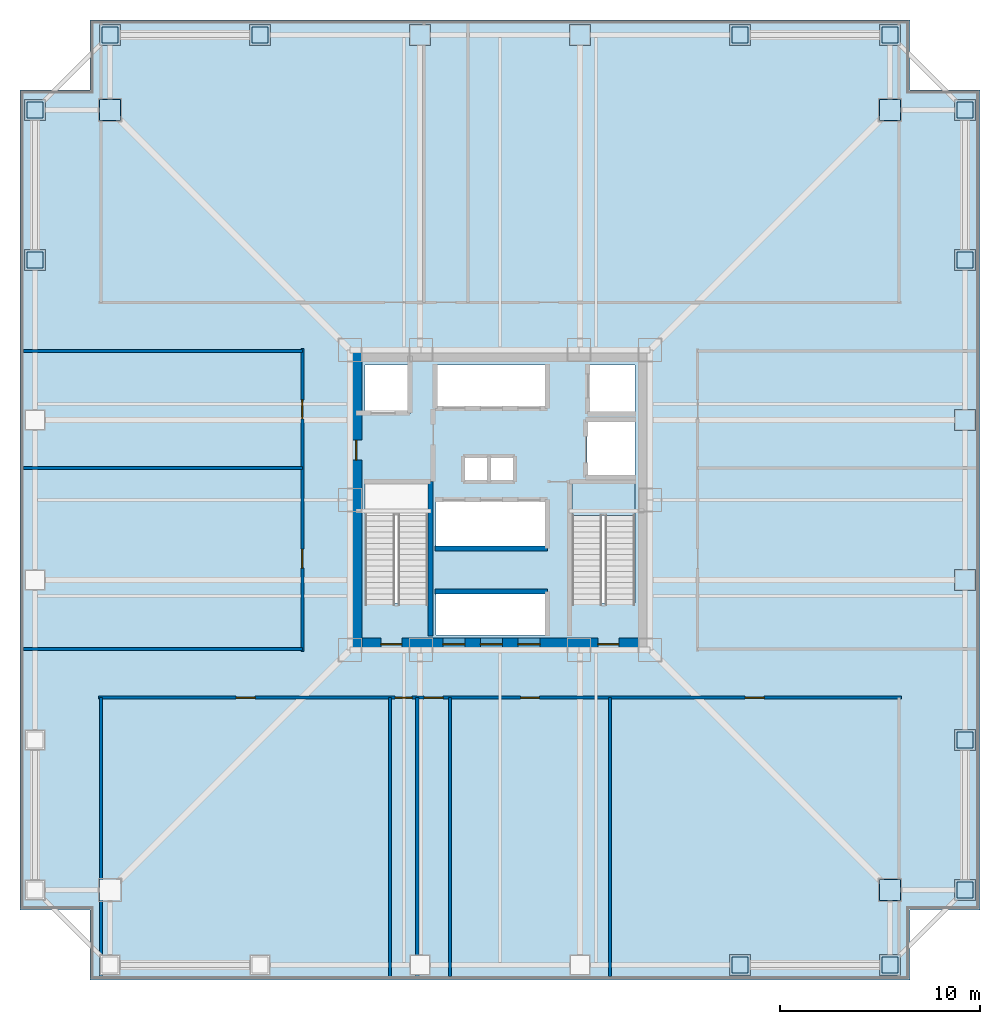
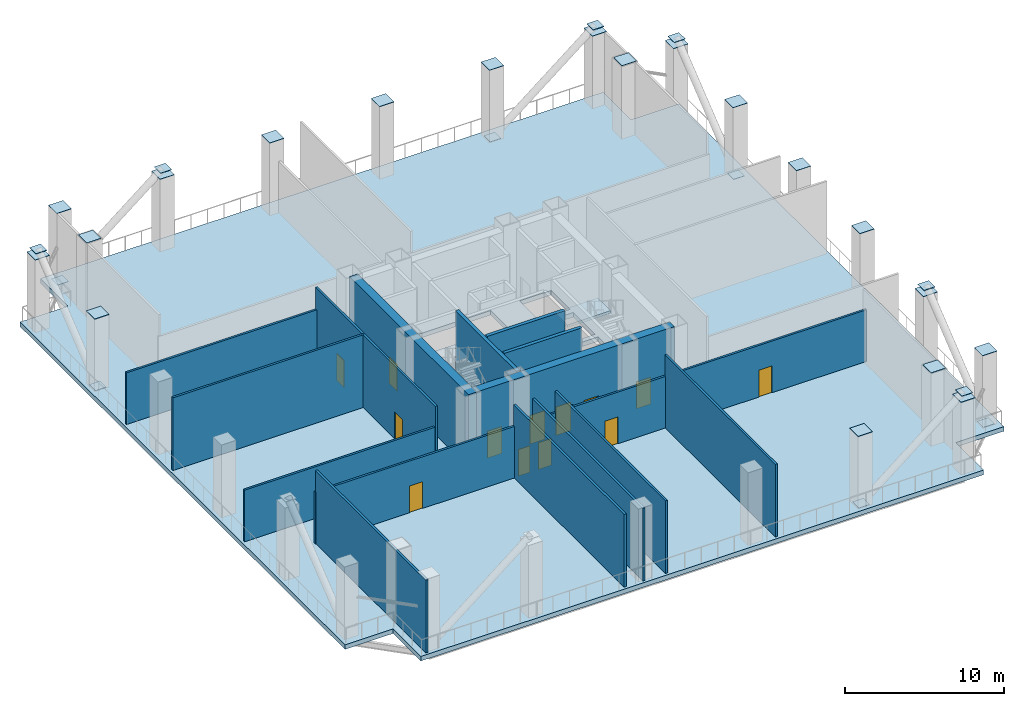
# One storey, part 2 of 7: 31 plates, 15 walls, 13 doors, 2 slabs, 13 openings, 1 element without a shape of its own.
"""IFC4 building model written with IfcOpenShell, lengths in metres."""

from ifc_helpers import new_model, si_unit, direction, frame, frame_2d, origin, origin_2d, place, context, subcontext, project, spatial, polyline, rectangle, outline, extrude, material, layer, layer_set, type_object, element, fill, aggregate, save


model = new_model("IFC4")

# Units and contexts
model_context = context("Model", 3, precision=1e-05, world=origin(), true_north=direction((0.0, 1.0)))
body_context = subcontext(model_context, "Body", "Model", "MODEL_VIEW")
ifc_project = project(units=[si_unit("LENGTHUNIT", "METRE"), si_unit("AREAUNIT", "SQUARE_METRE"), si_unit("VOLUMEUNIT", "CUBIC_METRE"), si_unit("PLANEANGLEUNIT", "RADIAN"), si_unit("MASSUNIT", "GRAM", prefix="KILO")], contexts=[model_context])

# Site, building, storey
site_placement = place(None, origin())
site = spatial("IfcSite", under=ifc_project, at=site_placement, CompositionType="ELEMENT")
building_placement = place(site_placement, origin())
building = spatial("IfcBuilding", under=site, at=building_placement, Name="Trevonay Congress Spire", CompositionType="ELEMENT")
storey_placement = place(building_placement, frame((0.0, 0.0, 88.0)))
storey = spatial("IfcBuildingStorey", under=building, at=storey_placement, Name="L22", CompositionType="ELEMENT", Elevation=88.0)

# Plates
ifc_material_1 = material(Name="Steel ASTM A572 Grade 50", Category="steel")
ifc_layer_1 = layer(ifc_material_1, 0.034912109375, Name="Steel ASTM A572 Grade 50")
ifc_layer_set_1 = layer_set([ifc_layer_1], Name="Steel ASTM A572 Grade 50")
plate_type_1 = type_object("IfcPlateType", Name="PLT-ENDCAP-EXT-105", PredefinedType="USERDEFINED", material=ifc_layer_set_1)
for number, where, z_axis, x_axis, name in (
    (1, (-19.5, 23.25, 5.58251953125), (0.0, 0.0, 1.0), (1.0, 0.0, 0.0), "L22 hollow column end-cap plate at TN-1"),
    (2, (23.25, -19.5, 5.58251953125), (0.0, 0.0, 1.0), (1.0, 0.0, 0.0), "L22 hollow column end-cap plate at TE-1"),
    (3, (-12.0, 23.25, 5.58251953125), (0.0, 0.0, 1.0), (1.0, 0.0, 0.0), "L22 hollow column end-cap plate at TN-2"),
    (4, (23.25, -12.0, 5.58251953125), (0.0, 0.0, 1.0), (1.0, 0.0, 0.0), "L22 hollow column end-cap plate at TE-2"),
    (5, (-4.0, 23.25, 5.58251953125), (0.0, 0.0, 1.0), (1.0, 0.0, 0.0), "L22 hollow column end-cap plate at TN-3"),
    (6, (23.25, -4.0, 5.58251953125), (0.0, 0.0, 1.0), (1.0, 0.0, 0.0), "L22 hollow column end-cap plate at TE-3"),
    (7, (4.0, 23.25, 5.58251953125), (0.0, 0.0, 1.0), (1.0, 0.0, 0.0), "L22 hollow column end-cap plate at TN-4"),
    (8, (23.25, 4.0, 5.58251953125), (0.0, 0.0, 1.0), (1.0, 0.0, 0.0), "L22 hollow column end-cap plate at TE-4"),
    (9, (12.0, -23.25, 5.58251953125), (0.0, 0.0, 1.0), (1.0, 0.0, 0.0), "L22 hollow column end-cap plate at TS-5"),
    (10, (12.0, 23.25, 5.58251953125), (0.0, 0.0, 1.0), (1.0, 0.0, 0.0), "L22 hollow column end-cap plate at TN-5"),
    (11, (-23.25, 12.0, 5.58251953125), (0.0, 0.0, 1.0), (1.0, 0.0, 0.0), "L22 hollow column end-cap plate at TW-5"),
    (12, (23.25, 12.0, 5.58251953125), (0.0, 0.0, 1.0), (1.0, 0.0, 0.0), "L22 hollow column end-cap plate at TE-5"),
    (13, (19.5, -23.25, 5.58251953125), (0.0, 0.0, 1.0), (1.0, 0.0, 0.0), "L22 hollow column end-cap plate at TS-6"),
    (14, (19.5, 23.25, 5.58251953125), (0.0, 0.0, 1.0), (1.0, 0.0, 0.0), "L22 hollow column end-cap plate at TN-6"),
    (15, (-23.25, 19.5, 5.58251953125), (0.0, 0.0, 1.0), (1.0, 0.0, 0.0), "L22 hollow column end-cap plate at TW-6"),
    (16, (23.25, 19.5, 5.58251953125), (0.0, 0.0, 1.0), (1.0, 0.0, 0.0), "L22 hollow column end-cap plate at TE-6"),
    (17, (19.5, -19.5, 5.58251953125), (0.0, 0.0, 1.0), (1.0, 0.0, 0.0), "L22 hollow column end-cap plate at NC-SE"),
    (18, (19.5, 19.5, 5.58251953125), (0.0, 0.0, 1.0), (1.0, 0.0, 0.0), "L22 hollow column end-cap plate at NC-NE"),
    (19, (-19.5, 19.5, 5.58251953125), (0.0, 0.0, 1.0), (1.0, 0.0, 0.0), "L22 hollow column end-cap plate at NC-NW"),
):
    element("IfcPlate", number, at=place(storey_placement, frame(where, z_axis=z_axis, x_axis=x_axis)), inside=storey, type_object=plate_type_1, Name=name, ObjectType="CAP_PLATE", PredefinedType="USERDEFINED", context=body_context, shape_type="SweptSolid", body=[
        extrude(rectangle(XDim=1.050048828125, YDim=1.050048828125, at=origin_2d()), origin(), (0.0, 0.0, 1.0), 0.034912109375),
    ])
ifc_layer_2 = layer(ifc_material_1, 0.030029296875, Name="Steel ASTM A572 Grade 50")
ifc_layer_set_2 = layer_set([ifc_layer_2], Name="Steel ASTM A572 Grade 50")
plate_type_2 = type_object("IfcPlateType", Name="PLT-ENDCAP-EXT-80", PredefinedType="USERDEFINED", material=ifc_layer_set_2)
for number, where, z_axis, x_axis, name in (
    (20, (12.0, -23.25, -0.05517578125), (0.0, 0.0, 1.0), (1.0, 0.0, 0.0), "L22 wind portal strut sealed end-cap plate S4-A"),
    (21, (19.5, -23.25, 5.94482421875), (0.0, 0.0, 1.0), (1.0, 0.0, 0.0), "L22 wind portal strut sealed end-cap plate S4-B"),
    (22, (-19.5, 23.25, -0.05517578125), (0.0, 0.0, 1.0), (1.0, 0.0, 0.0), "L22 wind portal strut sealed end-cap plate N0-A"),
    (23, (-12.0, 23.25, 5.94482421875), (0.0, 0.0, 1.0), (1.0, 0.0, 0.0), "L22 wind portal strut sealed end-cap plate N0-B"),
    (24, (12.0, 23.25, -0.05517578125), (0.0, 0.0, 1.0), (1.0, 0.0, 0.0), "L22 wind portal strut sealed end-cap plate N4-A"),
    (25, (19.5, 23.25, 5.94482421875), (0.0, 0.0, 1.0), (1.0, 0.0, 0.0), "L22 wind portal strut sealed end-cap plate N4-B"),
    (26, (-23.25, 12.0, -0.05517578125), (0.0, 0.0, 1.0), (1.0, 0.0, 0.0), "L22 wind portal strut sealed end-cap plate W4-A"),
    (27, (-23.25, 19.5, 5.94482421875), (0.0, 0.0, 1.0), (1.0, 0.0, 0.0), "L22 wind portal strut sealed end-cap plate W4-B"),
    (28, (23.25, -19.5, -0.05517578125), (0.0, 0.0, 1.0), (1.0, 0.0, 0.0), "L22 wind portal strut sealed end-cap plate E0-A"),
    (29, (23.25, -12.0, 5.94482421875), (0.0, 0.0, 1.0), (1.0, 0.0, 0.0), "L22 wind portal strut sealed end-cap plate E0-B"),
    (30, (23.25, 12.0, -0.05517578125), (0.0, 0.0, 1.0), (1.0, 0.0, 0.0), "L22 wind portal strut sealed end-cap plate E4-A"),
    (31, (23.25, 19.5, 5.94482421875), (0.0, 0.0, 1.0), (1.0, 0.0, 0.0), "L22 wind portal strut sealed end-cap plate E4-B"),
):
    element("IfcPlate", number, at=place(storey_placement, frame(where, z_axis=z_axis, x_axis=x_axis)), inside=storey, type_object=plate_type_2, Name=name, ObjectType="CAP_PLATE", PredefinedType="USERDEFINED", context=body_context, shape_type="SweptSolid", body=[
        extrude(rectangle(XDim=0.800048828125, YDim=0.800048828125, at=origin_2d()), origin(), (0.0, 0.0, 1.0), 0.030029296875),
    ])

# Stair, slab
ifc_material_2 = material(Name="Concrete C40/50", Category="concrete")
stair_type = type_object("IfcStairType", Name="STR-ST-2", PredefinedType="HALF_TURN_STAIR", material=ifc_material_2)
stair_placement = place(storey_placement, origin())
stair = element("IfcStair", 32, at=stair_placement, inside=storey, type_object=stair_type, Name="L22 Protected Exit Stair ST-2", PredefinedType="HALF_TURN_STAIR")
ifc_layer_3 = layer(ifc_material_2, 0.199951171875, Name="Concrete C40/50")
ifc_layer_set_3 = layer_set([ifc_layer_3], Name="Concrete C40/50")
slab_type_1 = type_object("IfcSlabType", Name="SLB-STAIR-LAND-200", PredefinedType="LANDING", material=ifc_layer_set_3)
slab_1_placement = place(storey_placement, frame((0.0, 0.0, 2.800048828125)))
slab_1 = element("IfcSlab", 33, at=slab_1_placement, type_object=slab_type_1, Name="ST-2 landing 1", PredefinedType="LANDING", context=body_context, shape_type="SweptSolid", body=[
    extrude(outline(polyline([(6.75, -0.77001953125), (6.75, 0.85009765625), (3.60009765625, 0.85009765625), (3.60009765625, -0.77001953125), (6.75, -0.77001953125)])), origin(), (0.0, 0.0, 1.0), 0.199951171875),
])
aggregate(stair, [slab_1])

# Slab
ifc_layer_4 = layer(ifc_material_2, 0.35009765625, Name="Concrete C40/50")
ifc_layer_set_4 = layer_set([ifc_layer_4], Name="Concrete C40/50")
slab_type_2 = type_object("IfcSlabType", Name="SLB-WIND-350", PredefinedType="FLOOR", material=ifc_layer_set_4)
slab_2_placement = place(storey_placement, frame((0.0, 0.0, -0.35009765625)))
element("IfcSlab", 34, at=slab_2_placement, inside=storey, type_object=slab_type_2, Name="L22 structural floor slab", PredefinedType="FLOOR", context=body_context, shape_type="SweptSolid", body=[
    extrude(outline(polyline([(-20.5, -24.0), (20.5, -24.0), (20.5, -20.5), (24.0, -20.5), (24.0, 20.5), (20.5, 20.5), (20.5, 24.0), (-20.5, 24.0), (-20.5, 20.5), (-24.0, 20.5), (-24.0, -20.5), (-20.5, -20.5), (-20.5, -24.0)]), holes=[polyline([(-3.60009765625, -5.14990234375), (-3.60009765625, 0.85009765625), (-6.75, 0.85009765625), (-6.75, -5.14990234375), (-3.60009765625, -5.14990234375)]), polyline([(6.75, -5.14990234375), (6.75, 0.85009765625), (3.60009765625, 0.85009765625), (3.60009765625, -5.14990234375), (6.75, -5.14990234375)]), polyline([(-3.199951171875, -6.75), (2.340087890625, -6.75), (2.340087890625, -4.64990234375), (-3.199951171875, -4.64990234375), (-3.199951171875, -6.75)]), polyline([(-3.199951171875, -2.35009765625), (2.340087890625, -2.35009765625), (2.340087890625, -0.050048828125), (-3.199951171875, -0.050048828125), (-3.199951171875, -2.35009765625)]), polyline([(-3.199951171875, 4.64990234375), (2.340087890625, 4.64990234375), (2.340087890625, 6.75), (-3.199951171875, 6.75), (-3.199951171875, 4.64990234375)]), polyline([(-6.75, 4.35009765625), (-4.449951171875, 4.35009765625), (-4.449951171875, 6.75), (-6.75, 6.75), (-6.75, 4.35009765625)]), polyline([(4.449951171875, 4.35009765625), (6.75, 4.35009765625), (6.75, 6.75), (4.449951171875, 6.75), (4.449951171875, 4.35009765625)]), polyline([(4.35009765625, 1.199951171875), (6.75, 1.199951171875), (6.75, 3.949951171875), (4.35009765625, 3.949951171875), (4.35009765625, 1.199951171875)]), polyline([(-1.800048828125, 0.949951171875), (0.699951171875, 0.949951171875), (0.699951171875, 2.14990234375), (-1.800048828125, 2.14990234375), (-1.800048828125, 0.949951171875)])]), origin(), (0.0, 0.0, 1.0), 0.35009765625),
])

# Wall, openings, doors
ifc_material_3 = material(Name="Concrete C60/75", Category="concrete")
ifc_layer_5 = layer(ifc_material_3, 0.60009765625, Name="Concrete C60/75")
ifc_layer_set_5 = layer_set([ifc_layer_5], Name="Concrete C60/75")
wall_type_1 = type_object("IfcWallType", Name="WAL-CORE-600", PredefinedType="SHEAR", material=ifc_layer_set_5)
wall_1_placement = place(storey_placement, frame((-7.5, -7.199951171875, 0.0), z_axis=(0.0, 0.0, 1.0), x_axis=(1.0, 0.0, 0.0)))
wall_1 = element("IfcWall", 35, at=wall_1_placement, inside=storey, type_object=wall_type_1, Name="L22 South structural core shear wall", PredefinedType="SHEAR", context=body_context, shape_type="SweptSolid", body=[
    extrude(rectangle(XDim=15.0, YDim=0.60009765625, at=frame_2d((7.5, 0.0))), origin(), (0.0, 0.0, 1.0), 5.60009765625),
])
opening_1_placement = place(wall_1_placement, frame((1.550048828125, 0.0, 0.0)))
opening_1 = element("IfcOpeningElement", 36, at=opening_1_placement, cuts=wall_1, Name="Opening D05", PredefinedType="OPENING", context=body_context, shape_type="SweptSolid", body=[
    extrude(rectangle(XDim=1.050048828125, YDim=2.080078125, at=frame_2d((0.52490234375, 1.0400390625))), frame((0.0, 0.31005859375, 0.0), z_axis=(0.0, -1.0, 0.0), x_axis=(1.0, 0.0, 0.0)), (0.0, 0.0, 1.0), 0.6201171875),
])
opening_2_placement = place(wall_1_placement, frame((12.39990234375, 0.0, 0.0)))
opening_2 = element("IfcOpeningElement", 37, at=opening_2_placement, cuts=wall_1, Name="Opening D05", PredefinedType="OPENING", context=body_context, shape_type="SweptSolid", body=[
    extrude(rectangle(XDim=1.050048828125, YDim=2.080078125, at=frame_2d((0.52490234375, 1.0400390625))), frame((0.0, 0.31005859375, 0.0), z_axis=(0.0, -1.0, 0.0), x_axis=(1.0, 0.0, 0.0)), (0.0, 0.0, 1.0), 0.6201171875),
])
opening_3_placement = place(wall_1_placement, frame((4.639892578125, 0.0, 0.0)))
opening_3 = element("IfcOpeningElement", 38, at=opening_3_placement, cuts=wall_1, Name="Opening LD01", PredefinedType="OPENING", context=body_context, shape_type="SweptSolid", body=[
    extrude(rectangle(XDim=1.10009765625, YDim=2.199951171875, at=frame_2d((0.550048828125, 1.10009765625))), frame((0.0, 0.31005859375, 0.0), z_axis=(0.0, -1.0, 0.0), x_axis=(1.0, 0.0, 0.0)), (0.0, 0.0, 1.0), 0.6201171875),
])
opening_4_placement = place(wall_1_placement, frame((6.52001953125, 0.0, 0.0)))
opening_4 = element("IfcOpeningElement", 39, at=opening_4_placement, cuts=wall_1, Name="Opening LD01", PredefinedType="OPENING", context=body_context, shape_type="SweptSolid", body=[
    extrude(rectangle(XDim=1.10009765625, YDim=2.199951171875, at=frame_2d((0.550048828125, 1.10009765625))), frame((0.0, 0.31005859375, 0.0), z_axis=(0.0, -1.0, 0.0), x_axis=(1.0, 0.0, 0.0)), (0.0, 0.0, 1.0), 0.6201171875),
])
opening_5_placement = place(wall_1_placement, frame((8.39990234375, 0.0, 0.0)))
opening_5 = element("IfcOpeningElement", 40, at=opening_5_placement, cuts=wall_1, Name="Opening LD01", PredefinedType="OPENING", context=body_context, shape_type="SweptSolid", body=[
    extrude(rectangle(XDim=1.10009765625, YDim=2.199951171875, at=frame_2d((0.550048828125, 1.10009765625))), frame((0.0, 0.31005859375, 0.0), z_axis=(0.0, -1.0, 0.0), x_axis=(1.0, 0.0, 0.0)), (0.0, 0.0, 1.0), 0.6201171875),
])
ifc_material_4 = material(Name="Pale Anodised Aluminium EN AW-6063-T6", Category="aluminium")
door_type_1 = type_object("IfcDoorType", Name="DOR-LIFT-LD01", OperationType="DOUBLE_DOOR_SLIDING", PredefinedType="DOOR", material=ifc_material_4)
door_1_placement = place(opening_3_placement, origin())
door_1 = element("IfcDoor", 41, at=door_1_placement, inside=storey, type_object=door_type_1, Name="L22 Passenger lift PL-01 landing door", OperationType="DOUBLE_DOOR_SLIDING", OverallHeight=2.199951171875, OverallWidth=1.10009765625, PredefinedType="DOOR", context=body_context, shape_type="SweptSolid", body=[
    extrude(rectangle(XDim=1.10009765625, YDim=2.199951171875, at=frame_2d((0.550048828125, 1.10009765625))), frame((0.0, 0.02490234375, 0.0), z_axis=(0.0, -1.0, 0.0), x_axis=(1.0, 0.0, 0.0)), (0.0, 0.0, 1.0), 0.050048828125),
])
fill(opening_3, door_1)
door_2_placement = place(opening_4_placement, origin())
door_2 = element("IfcDoor", 42, at=door_2_placement, inside=storey, type_object=door_type_1, Name="L22 Passenger lift PL-02 landing door", OperationType="DOUBLE_DOOR_SLIDING", OverallHeight=2.199951171875, OverallWidth=1.10009765625, PredefinedType="DOOR", context=body_context, shape_type="SweptSolid", body=[
    extrude(rectangle(XDim=1.10009765625, YDim=2.199951171875, at=frame_2d((0.550048828125, 1.10009765625))), frame((0.0, 0.02490234375, 0.0), z_axis=(0.0, -1.0, 0.0), x_axis=(1.0, 0.0, 0.0)), (0.0, 0.0, 1.0), 0.050048828125),
])
fill(opening_4, door_2)
door_3_placement = place(opening_5_placement, origin())
door_3 = element("IfcDoor", 43, at=door_3_placement, inside=storey, type_object=door_type_1, Name="L22 Passenger lift PL-03 landing door", OperationType="DOUBLE_DOOR_SLIDING", OverallHeight=2.199951171875, OverallWidth=1.10009765625, PredefinedType="DOOR", context=body_context, shape_type="SweptSolid", body=[
    extrude(rectangle(XDim=1.10009765625, YDim=2.199951171875, at=frame_2d((0.550048828125, 1.10009765625))), frame((0.0, 0.02490234375, 0.0), z_axis=(0.0, -1.0, 0.0), x_axis=(1.0, 0.0, 0.0)), (0.0, 0.0, 1.0), 0.050048828125),
])
fill(opening_5, door_3)
door_type_2 = type_object("IfcDoorType", Name="DOR-STAIR-110", OperationType="NOTDEFINED", PredefinedType="DOOR", material=ifc_material_1)
door_4_placement = place(opening_1_placement, origin())
door_4 = element("IfcDoor", 44, at=door_4_placement, inside=storey, type_object=door_type_2, Name="L22 Protected Stair ST-1 Door", OperationType="SINGLE_SWING_RIGHT", OverallHeight=2.080078125, OverallWidth=1.050048828125, PredefinedType="DOOR", context=body_context, shape_type="SweptSolid", body=[
    extrude(rectangle(XDim=1.050048828125, YDim=2.080078125, at=frame_2d((0.52490234375, 1.0400390625))), frame((0.0, 0.02490234375, 0.0), z_axis=(0.0, -1.0, 0.0), x_axis=(1.0, 0.0, 0.0)), (0.0, 0.0, 1.0), 0.050048828125),
])
fill(opening_1, door_4)
door_5_placement = place(opening_2_placement, origin())
door_5 = element("IfcDoor", 45, at=door_5_placement, inside=storey, type_object=door_type_2, Name="L22 Protected Stair ST-2 Door", OperationType="SINGLE_SWING_LEFT", OverallHeight=2.080078125, OverallWidth=1.050048828125, PredefinedType="DOOR", context=body_context, shape_type="SweptSolid", body=[
    extrude(rectangle(XDim=1.050048828125, YDim=2.080078125, at=frame_2d((0.52490234375, 1.0400390625))), frame((0.0, 0.02490234375, 0.0), z_axis=(0.0, -1.0, 0.0), x_axis=(1.0, 0.0, 0.0)), (0.0, 0.0, 1.0), 0.050048828125),
])
fill(opening_2, door_5)

# Wall, opening, door
wall_2_placement = place(storey_placement, frame((-7.199951171875, -7.5, 0.0), z_axis=(0.0, 0.0, 1.0), x_axis=(0.0, 1.0, 0.0)))
wall_2 = element("IfcWall", 46, at=wall_2_placement, inside=storey, type_object=wall_type_1, Name="L22 West structural core shear wall", PredefinedType="SHEAR", context=body_context, shape_type="SweptSolid", body=[
    extrude(rectangle(XDim=15.0, YDim=0.60009765625, at=frame_2d((7.5, 0.0))), origin(), (0.0, 0.0, 1.0), 5.60009765625),
])
opening_6_placement = place(wall_2_placement, frame((9.5, 0.0, 0.0)))
opening_6 = element("IfcOpeningElement", 47, at=opening_6_placement, cuts=wall_2, Name="Opening D06", PredefinedType="OPENING", context=body_context, shape_type="SweptSolid", body=[
    extrude(rectangle(XDim=1.0, YDim=2.080078125, at=frame_2d((0.5, 1.0400390625))), frame((0.0, 0.31005859375, 0.0), z_axis=(0.0, -1.0, 0.0), x_axis=(1.0, 0.0, 0.0)), (0.0, 0.0, 1.0), 0.6201171875),
])
door_type_3 = type_object("IfcDoorType", Name="DOR-FIRE-100", OperationType="NOTDEFINED", PredefinedType="DOOR", material=ifc_material_1)
door_6_placement = place(opening_6_placement, origin())
door_6 = element("IfcDoor", 48, at=door_6_placement, inside=storey, type_object=door_type_3, Name="L22 Firefighting Lift Lobby West Corridor Door", OperationType="SINGLE_SWING_RIGHT", OverallHeight=2.080078125, OverallWidth=1.0, PredefinedType="DOOR", context=body_context, shape_type="SweptSolid", body=[
    extrude(rectangle(XDim=1.0, YDim=2.080078125, at=frame_2d((0.5, 1.0400390625))), frame((0.0, 0.02490234375, 0.0), z_axis=(0.0, -1.0, 0.0), x_axis=(1.0, 0.0, 0.0)), (0.0, 0.0, 1.0), 0.050048828125),
])
fill(opening_6, door_6)

# Wall, openings, doors
ifc_layer_6 = layer(ifc_material_2, 0.14990234375, Name="Concrete C40/50")
ifc_layer_set_6 = layer_set([ifc_layer_6], Name="Concrete C40/50")
wall_type_2 = type_object("IfcWallType", Name="WAL-CORR-150", PredefinedType="PARTITIONING", material=ifc_layer_set_6)
wall_3_placement = place(storey_placement, frame((-20.070068359375, -9.8798828125, 0.0), z_axis=(0.0, 0.0, 1.0), x_axis=(1.0, 0.0, 0.0)))
wall_3 = element("IfcWall", 49, at=wall_3_placement, inside=storey, type_object=wall_type_2, Name="L22 interior wall WP-L22S-COR", PredefinedType="PARTITIONING", context=body_context, shape_type="SweptSolid", body=[
    extrude(rectangle(XDim=40.14013671875, YDim=0.14990234375, at=frame_2d((20.070068359375, 0.0))), origin(), (0.0, 0.0, 1.0), 3.97509765625),
])
opening_7_placement = place(wall_3_placement, frame((6.8701171875, 0.0, 0.0)))
opening_7 = element("IfcOpeningElement", 50, at=opening_7_placement, cuts=wall_3, Name="Opening D07", PredefinedType="OPENING", context=body_context, shape_type="SweptSolid", body=[
    extrude(rectangle(XDim=0.949951171875, YDim=2.06005859375, at=frame_2d((0.47509765625, 1.030029296875))), frame((0.0, 0.0849609375, 0.0), z_axis=(0.0, -1.0, 0.0), x_axis=(1.0, 0.0, 0.0)), (0.0, 0.0, 1.0), 0.169921875),
])
opening_8_placement = place(wall_3_placement, frame((14.824951171875, 0.0, 0.0)))
opening_8 = element("IfcOpeningElement", 51, at=opening_8_placement, cuts=wall_3, Name="Opening D10", PredefinedType="OPENING", context=body_context, shape_type="SweptSolid", body=[
    extrude(rectangle(XDim=0.85009765625, YDim=2.050048828125, at=frame_2d((0.425048828125, 1.02490234375))), frame((0.0, 0.0849609375, 0.0), z_axis=(0.0, -1.0, 0.0), x_axis=(1.0, 0.0, 0.0)), (0.0, 0.0, 1.0), 0.169921875),
])
opening_9_placement = place(wall_3_placement, frame((16.27490234375, 0.0, 0.0)))
opening_9 = element("IfcOpeningElement", 52, at=opening_9_placement, cuts=wall_3, Name="Opening D07", PredefinedType="OPENING", context=body_context, shape_type="SweptSolid", body=[
    extrude(rectangle(XDim=0.949951171875, YDim=2.06005859375, at=frame_2d((0.47509765625, 1.030029296875))), frame((0.0, 0.0849609375, 0.0), z_axis=(0.0, -1.0, 0.0), x_axis=(1.0, 0.0, 0.0)), (0.0, 0.0, 1.0), 0.169921875),
])
opening_10_placement = place(wall_3_placement, frame((21.094970703125, 0.0, 0.0)))
opening_10 = element("IfcOpeningElement", 53, at=opening_10_placement, cuts=wall_3, Name="Opening D07", PredefinedType="OPENING", context=body_context, shape_type="SweptSolid", body=[
    extrude(rectangle(XDim=0.949951171875, YDim=2.06005859375, at=frame_2d((0.47509765625, 1.030029296875))), frame((0.0, 0.0849609375, 0.0), z_axis=(0.0, -1.0, 0.0), x_axis=(1.0, 0.0, 0.0)), (0.0, 0.0, 1.0), 0.169921875),
])
opening_11_placement = place(wall_3_placement, frame((32.320068359375, 0.0, 0.0)))
opening_11 = element("IfcOpeningElement", 54, at=opening_11_placement, cuts=wall_3, Name="Opening D07", PredefinedType="OPENING", context=body_context, shape_type="SweptSolid", body=[
    extrude(rectangle(XDim=0.949951171875, YDim=2.06005859375, at=frame_2d((0.47509765625, 1.030029296875))), frame((0.0, 0.0849609375, 0.0), z_axis=(0.0, -1.0, 0.0), x_axis=(1.0, 0.0, 0.0)), (0.0, 0.0, 1.0), 0.169921875),
])
door_type_4 = type_object("IfcDoorType", Name="DOR-OFFICE-95", OperationType="NOTDEFINED", PredefinedType="DOOR", material=ifc_material_4)
door_7_placement = place(opening_7_placement, origin())
door_7 = element("IfcDoor", 55, at=door_7_placement, inside=storey, type_object=door_type_4, Name="L22 Refuge Area South-West Door", OperationType="SINGLE_SWING_LEFT", OverallHeight=2.06005859375, OverallWidth=0.949951171875, PredefinedType="DOOR", context=body_context, shape_type="SweptSolid", body=[
    extrude(rectangle(XDim=0.949951171875, YDim=2.06005859375, at=frame_2d((0.47509765625, 1.030029296875))), frame((0.0, 0.02490234375, 0.0), z_axis=(0.0, -1.0, 0.0), x_axis=(1.0, 0.0, 0.0)), (0.0, 0.0, 1.0), 0.050048828125),
])
fill(opening_7, door_7)
door_8_placement = place(opening_9_placement, origin())
door_8 = element("IfcDoor", 56, at=door_8_placement, inside=storey, type_object=door_type_4, Name="L22 Floor Supplies and Copy Room Door", OperationType="SINGLE_SWING_LEFT", OverallHeight=2.06005859375, OverallWidth=0.949951171875, PredefinedType="DOOR", context=body_context, shape_type="SweptSolid", body=[
    extrude(rectangle(XDim=0.949951171875, YDim=2.06005859375, at=frame_2d((0.47509765625, 1.030029296875))), frame((0.0, 0.02490234375, 0.0), z_axis=(0.0, -1.0, 0.0), x_axis=(1.0, 0.0, 0.0)), (0.0, 0.0, 1.0), 0.050048828125),
])
fill(opening_9, door_8)
door_9_placement = place(opening_10_placement, origin())
door_9 = element("IfcDoor", 57, at=door_9_placement, inside=storey, type_object=door_type_4, Name="L22 Primary AHU Supply Plant Door", OperationType="SINGLE_SWING_RIGHT", OverallHeight=2.06005859375, OverallWidth=0.949951171875, PredefinedType="DOOR", context=body_context, shape_type="SweptSolid", body=[
    extrude(rectangle(XDim=0.949951171875, YDim=2.06005859375, at=frame_2d((0.47509765625, 1.030029296875))), frame((0.0, 0.02490234375, 0.0), z_axis=(0.0, -1.0, 0.0), x_axis=(1.0, 0.0, 0.0)), (0.0, 0.0, 1.0), 0.050048828125),
])
fill(opening_10, door_9)
door_10_placement = place(opening_11_placement, origin())
door_10 = element("IfcDoor", 58, at=door_10_placement, inside=storey, type_object=door_type_4, Name="L22 Heat-Recovery Exhaust Plant Door", OperationType="SINGLE_SWING_LEFT", OverallHeight=2.06005859375, OverallWidth=0.949951171875, PredefinedType="DOOR", context=body_context, shape_type="SweptSolid", body=[
    extrude(rectangle(XDim=0.949951171875, YDim=2.06005859375, at=frame_2d((0.47509765625, 1.030029296875))), frame((0.0, 0.02490234375, 0.0), z_axis=(0.0, -1.0, 0.0), x_axis=(1.0, 0.0, 0.0)), (0.0, 0.0, 1.0), 0.050048828125),
])
fill(opening_11, door_10)
door_type_5 = type_object("IfcDoorType", Name="DOR-WC-85", OperationType="NOTDEFINED", PredefinedType="DOOR", material=ifc_material_4)
door_11_placement = place(opening_8_placement, origin())
door_11 = element("IfcDoor", 59, at=door_11_placement, inside=storey, type_object=door_type_5, Name="L22 Accessible Refuge WC Door", OperationType="SINGLE_SWING_RIGHT", OverallHeight=2.050048828125, OverallWidth=0.85009765625, PredefinedType="DOOR", context=body_context, shape_type="SweptSolid", body=[
    extrude(rectangle(XDim=0.85009765625, YDim=2.050048828125, at=frame_2d((0.425048828125, 1.02490234375))), frame((0.0, 0.02490234375, 0.0), z_axis=(0.0, -1.0, 0.0), x_axis=(1.0, 0.0, 0.0)), (0.0, 0.0, 1.0), 0.050048828125),
])
fill(opening_8, door_11)

wall_4_placement = place(storey_placement, frame((-9.8798828125, -7.570068359375, 0.0), z_axis=(0.0, 0.0, 1.0), x_axis=(0.0, 1.0, 0.0)))
wall_4 = element("IfcWall", 60, at=wall_4_placement, inside=storey, type_object=wall_type_2, Name="L22 interior wall WP-L22W-COR", PredefinedType="PARTITIONING", context=body_context, shape_type="SweptSolid", body=[
    extrude(rectangle(XDim=15.14013671875, YDim=0.14990234375, at=frame_2d((7.570068359375, 0.0))), origin(), (0.0, 0.0, 1.0), 5.60009765625),
])
opening_12_placement = place(wall_4_placement, frame((4.169921875, 0.0, 0.0)))
opening_12 = element("IfcOpeningElement", 61, at=opening_12_placement, cuts=wall_4, Name="Opening D07", PredefinedType="OPENING", context=body_context, shape_type="SweptSolid", body=[
    extrude(rectangle(XDim=0.949951171875, YDim=2.06005859375, at=frame_2d((0.47509765625, 1.030029296875))), frame((0.0, 0.0849609375, 0.0), z_axis=(0.0, -1.0, 0.0), x_axis=(1.0, 0.0, 0.0)), (0.0, 0.0, 1.0), 0.169921875),
])
opening_13_placement = place(wall_4_placement, frame((11.6201171875, 0.0, 0.0)))
opening_13 = element("IfcOpeningElement", 62, at=opening_13_placement, cuts=wall_4, Name="Opening D07", PredefinedType="OPENING", context=body_context, shape_type="SweptSolid", body=[
    extrude(rectangle(XDim=0.949951171875, YDim=2.06005859375, at=frame_2d((0.47509765625, 1.030029296875))), frame((0.0, 0.0849609375, 0.0), z_axis=(0.0, -1.0, 0.0), x_axis=(1.0, 0.0, 0.0)), (0.0, 0.0, 1.0), 0.169921875),
])
door_12_placement = place(opening_12_placement, origin())
door_12 = element("IfcDoor", 63, at=door_12_placement, inside=storey, type_object=door_type_4, Name="L22 Refuge Area West Door", OperationType="SINGLE_SWING_LEFT", OverallHeight=2.06005859375, OverallWidth=0.949951171875, PredefinedType="DOOR", context=body_context, shape_type="SweptSolid", body=[
    extrude(rectangle(XDim=0.949951171875, YDim=2.06005859375, at=frame_2d((0.47509765625, 1.030029296875))), frame((0.0, 0.02490234375, 0.0), z_axis=(0.0, -1.0, 0.0), x_axis=(1.0, 0.0, 0.0)), (0.0, 0.0, 1.0), 0.050048828125),
])
fill(opening_12, door_12)
door_13_placement = place(opening_13_placement, origin())
door_13 = element("IfcDoor", 64, at=door_13_placement, inside=storey, type_object=door_type_4, Name="L22 Pressurization Fan Room West Door", OperationType="SINGLE_SWING_RIGHT", OverallHeight=2.06005859375, OverallWidth=0.949951171875, PredefinedType="DOOR", context=body_context, shape_type="SweptSolid", body=[
    extrude(rectangle(XDim=0.949951171875, YDim=2.06005859375, at=frame_2d((0.47509765625, 1.030029296875))), frame((0.0, 0.02490234375, 0.0), z_axis=(0.0, -1.0, 0.0), x_axis=(1.0, 0.0, 0.0)), (0.0, 0.0, 1.0), 0.050048828125),
])
fill(opening_13, door_13)

# Walls
ifc_layer_7 = layer(ifc_material_2, 0.14990234375, Name="Concrete C40/50")
ifc_layer_set_7 = layer_set([ifc_layer_7], Name="Concrete C40/50")
wall_type_3 = type_object("IfcWallType", Name="WAL-PART-150", PredefinedType="PARTITIONING", material=ifc_layer_set_7)
for number, where, z_axis, x_axis, name in (
    (65, (-2.5, -23.820068359375, 0.0), (0.0, 0.0, 1.0), (0.0, 1.0, 0.0), "L22 interior wall WP-L22S-DIV3"),
    (66, (5.5, -23.820068359375, 0.0), (0.0, 0.0, 1.0), (0.0, 1.0, 0.0), "L22 interior wall WP-L22S-DIV4"),
):
    element("IfcWall", number, at=place(storey_placement, frame(where, z_axis=z_axis, x_axis=x_axis)), inside=storey, type_object=wall_type_3, Name=name, PredefinedType="PARTITIONING", context=body_context, shape_type="SweptSolid", body=[
        extrude(rectangle(XDim=13.940185546875, YDim=0.14990234375, at=frame_2d((6.97021484375, 0.0))), origin(), (0.0, 0.0, 1.0), 5.60009765625),
    ])
wall_5_placement = place(storey_placement, frame((-23.820068359375, -7.449951171875, 0.0), z_axis=(0.0, 0.0, 1.0), x_axis=(1.0, 0.0, 0.0)))
element("IfcWall", 67, at=wall_5_placement, inside=storey, type_object=wall_type_3, Name="L22 interior wall WP-L22W-DIV1", PredefinedType="PARTITIONING", context=body_context, shape_type="SweptSolid", body=[
    extrude(rectangle(XDim=13.940185546875, YDim=0.14990234375, at=frame_2d((6.97021484375, 0.0))), origin(), (0.0, 0.0, 1.0), 3.97509765625),
])
wall_6_placement = place(storey_placement, frame((-23.820068359375, 1.60009765625, 0.0), z_axis=(0.0, 0.0, 1.0), x_axis=(1.0, 0.0, 0.0)))
element("IfcWall", 68, at=wall_6_placement, inside=storey, type_object=wall_type_3, Name="L22 interior wall WP-L22W-DIV2", PredefinedType="PARTITIONING", context=body_context, shape_type="SweptSolid", body=[
    extrude(rectangle(XDim=13.940185546875, YDim=0.14990234375, at=frame_2d((6.97021484375, 0.0))), origin(), (0.0, 0.0, 1.0), 5.60009765625),
])
wall_7_placement = place(storey_placement, frame((-23.820068359375, 7.449951171875, 0.0), z_axis=(0.0, 0.0, 1.0), x_axis=(1.0, 0.0, 0.0)))
element("IfcWall", 69, at=wall_7_placement, inside=storey, type_object=wall_type_3, Name="L22 interior wall WP-L22W-DIV3", PredefinedType="PARTITIONING", context=body_context, shape_type="SweptSolid", body=[
    extrude(rectangle(XDim=13.940185546875, YDim=0.14990234375, at=frame_2d((6.97021484375, 0.0))), origin(), (0.0, 0.0, 1.0), 3.97509765625),
])
ifc_layer_8 = layer(ifc_material_2, 0.25, Name="Concrete C40/50")
ifc_layer_set_8 = layer_set([ifc_layer_8], Name="Concrete C40/50")
wall_type_4 = type_object("IfcWallType", Name="WAL-SHAFT-250", PredefinedType="SHEAR", material=ifc_layer_set_8)
for number, where, z_axis, x_axis, name in (
    (70, (-3.260009765625, -4.580078125, 0.0), (0.0, 0.0, 1.0), (1.0, 0.0, 0.0), "L22 interior shaft wall WSH-L22-B1-N"),
    (71, (-3.260009765625, -2.419921875, 0.0), (0.0, 0.0, 1.0), (1.0, 0.0, 0.0), "L22 interior shaft wall WSH-L22-B2-S"),
):
    element("IfcWall", number, at=place(storey_placement, frame(where, z_axis=z_axis, x_axis=x_axis)), inside=storey, type_object=wall_type_4, Name=name, PredefinedType="SHEAR", context=body_context, shape_type="SweptSolid", body=[
        extrude(rectangle(XDim=5.639892578125, YDim=0.25, at=frame_2d((2.81982421875, 0.0))), origin(), (0.0, 0.0, 1.0), 5.60009765625),
    ])
ifc_layer_9 = layer(ifc_material_2, 0.25, Name="Concrete C40/50")
ifc_layer_set_9 = layer_set([ifc_layer_9], Name="Concrete C40/50")
wall_type_5 = type_object("IfcWallType", Name="WAL-SHAFT-LB-250", PredefinedType="SHEAR", material=ifc_layer_set_9)
wall_8_placement = place(storey_placement, frame((-3.469970703125, -6.800048828125, 0.0), z_axis=(0.0, 0.0, 1.0), x_axis=(0.0, 1.0, 0.0)))
element("IfcWall", 72, at=wall_8_placement, inside=storey, type_object=wall_type_5, Name="L22 interior shaft wall WSH-L22-ST1-E", PredefinedType="SHEAR", context=body_context, shape_type="SweptSolid", body=[
    extrude(rectangle(XDim=7.719970703125, YDim=0.25, at=frame_2d((3.85986328125, 0.0))), origin(), (0.0, 0.0, 1.0), 5.60009765625),
])
ifc_layer_10 = layer(ifc_material_2, 0.1650390625, Name="Concrete C40/50")
ifc_layer_set_10 = layer_set([ifc_layer_10], Name="Concrete C40/50")
wall_type_6 = type_object("IfcWallType", Name="WAL-WET-165", PredefinedType="PLUMBINGWALL", material=ifc_layer_set_10)
for number, where, z_axis, x_axis, name in (
    (73, (-4.139892578125, -23.820068359375, 0.0), (0.0, 0.0, 1.0), (0.0, 1.0, 0.0), "L22 interior wall WP-L22S-WCS2"),
    (74, (-19.949951171875, -23.820068359375, 0.0), (0.0, 0.0, 1.0), (0.0, 1.0, 0.0), "L22 interior wall WP-L22S-DIV1"),
    (75, (-5.5, -23.820068359375, 0.0), (0.0, 0.0, 1.0), (0.0, 1.0, 0.0), "L22 interior wall WP-L22S-DIV2"),
):
    element("IfcWall", number, at=place(storey_placement, frame(where, z_axis=z_axis, x_axis=x_axis)), inside=storey, type_object=wall_type_6, Name=name, PredefinedType="PLUMBINGWALL", context=body_context, shape_type="SweptSolid", body=[
        extrude(rectangle(XDim=13.940185546875, YDim=0.1650390625, at=frame_2d((6.97021484375, 0.0))), origin(), (0.0, 0.0, 1.0), 5.60009765625),
    ])

save(model, "model.ifc")
